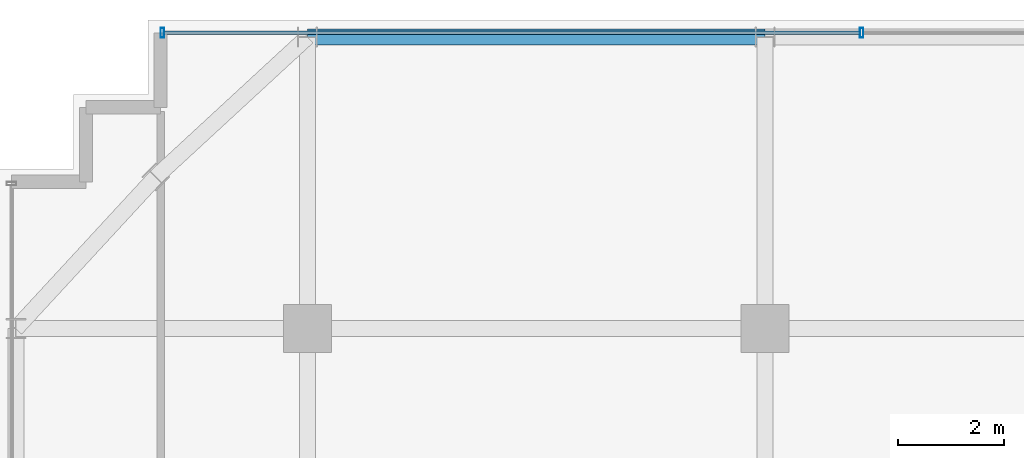
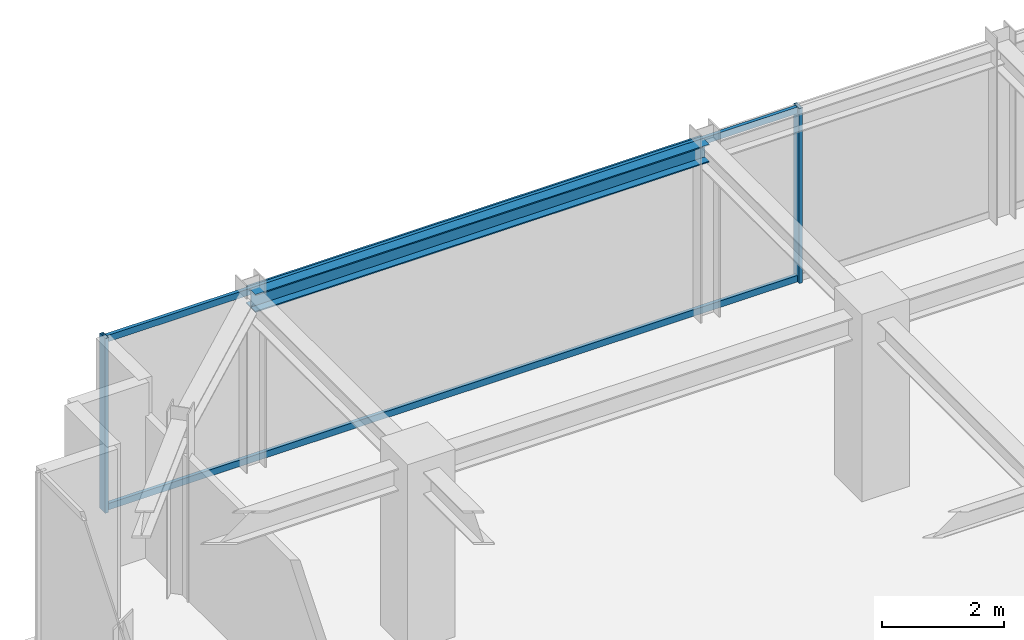
# One storey, part 20 of 31: 4 members, 1 beam, 1 element without a shape of its own.
"""IFC4 building model written with IfcOpenShell, lengths in metres."""

from ifc_helpers import new_model, si_unit, direction, frame, origin, origin_2d, place, context, subcontext, project, spatial, hollow_rectangle, i_section, extrude, source, transform, mapped, material, material_profile, profile_set, type_object, element, aggregate, save


model = new_model("IFC4")

# Units and contexts
model_context = context("Model", 3, precision=1e-05, world=origin(), true_north=direction((0.0, 1.0)))
body_context = subcontext(model_context, "Body", "Model", "MODEL_VIEW")
ifc_project = project(units=[si_unit("LENGTHUNIT", "METRE"), si_unit("AREAUNIT", "SQUARE_METRE"), si_unit("VOLUMEUNIT", "CUBIC_METRE"), si_unit("PLANEANGLEUNIT", "RADIAN"), si_unit("MASSUNIT", "GRAM", prefix="KILO")], contexts=[model_context])

# Site, building, storey
site_placement = place(None, origin())
site = spatial("IfcSite", under=ifc_project, at=site_placement, CompositionType="ELEMENT")
building_placement = place(site_placement, origin())
building = spatial("IfcBuilding", under=site, at=building_placement, Name="Nahalor Promenade Grand Hotel", CompositionType="ELEMENT")
storey_placement = place(building_placement, frame((0.0, 0.0, 323.35009765625)))
storey = spatial("IfcBuildingStorey", under=building, at=storey_placement, Name="L83", CompositionType="ELEMENT", Elevation=323.35009765625)

# Beam
ifc_material_1 = material(Name="Steel S355JR", Category="steel")
ifc_material_profile_1 = material_profile(ifc_material_1, i_section(OverallWidth=0.3, OverallDepth=0.36, WebThickness=0.0125, FlangeThickness=0.0225, at=origin_2d()), Name="HEB 360")
ifc_profile_set_1 = profile_set([ifc_material_profile_1], Name="Steel S355JR")
beam_type = type_object("IfcBeamType", Name="Beam-Spandrel-HEB360", PredefinedType="SPANDREL", material=ifc_profile_set_1)
shared_shape_1 = source(origin(), body_context, "Body", "SweptSolid", [
    extrude(i_section(OverallWidth=0.3, OverallDepth=0.36, WebThickness=0.0125, FlangeThickness=0.0225, at=origin_2d()), origin(), (0.0, 0.0, 1.0), 8.60009765625),
])
beam_placement = place(storey_placement, frame((-17.0, 22.47998046875, 3.31982421875), z_axis=(1.0, 0.0, 0.0), x_axis=(0.0, 1.0, 0.0)))
element("IfcBeam", 1, at=beam_placement, inside=storey, type_object=beam_type, Name="BM-L83-SP-N-0", PredefinedType="SPANDREL", context=body_context, shape_type="MappedRepresentation", body=[
    mapped(shared_shape_1, transform((0.0, 0.0, 0.0), scale=1.0)),
])

# Curtain wall, members
ifc_material_2 = material(Name="Anodised Bronze Aluminium EN AW-6063 T6", Category="aluminium")
curtain_wall_type = type_object("IfcCurtainWallType", Name="CW2 Typical Hotel Flush Bronze Unitised Curtain Wall", PredefinedType="USERDEFINED", material=ifc_material_2)
curtain_wall_placement = place(storey_placement, origin())
curtain_wall = element("IfcCurtainWall", 2, at=curtain_wall_placement, inside=storey, type_object=curtain_wall_type, Name="L83 Curtain Wall CW-L83-N-1", ObjectType="UNITISED_CURTAIN_WALL", PredefinedType="USERDEFINED")
ifc_material_profile_2 = material_profile(ifc_material_2, hollow_rectangle(XDim=0.065, YDim=0.13, WallThickness=0.004, at=origin_2d()), Name="CWT 65x130x4")
ifc_profile_set_2 = profile_set([ifc_material_profile_2], Name="Anodised Bronze Aluminium EN AW-6063 T6")
member_type_1 = type_object("IfcMemberType", Name="CWT2 Typical Bronze Transom 65x130", PredefinedType="USERDEFINED", material=ifc_profile_set_2)
shared_shape_2 = source(origin(), body_context, "Body", "SweptSolid", [
    extrude(hollow_rectangle(XDim=0.065, YDim=0.13, WallThickness=0.004, at=origin_2d()), origin(), (0.0, 0.0, 1.0), 13.075927734375),
])
member_1_placement = place(storey_placement, frame((-19.695068359375, 22.56005859375, 0.06494140625), z_axis=(1.0, 0.0, 0.0), x_axis=(0.0, 1.0, 0.0)))
member_1 = element("IfcMember", 3, at=member_1_placement, type_object=member_type_1, Name="CW-L83-N-1 Transom 0-0", ObjectType="TRANSOM", PredefinedType="USERDEFINED", context=body_context, shape_type="MappedRepresentation", body=[
    mapped(shared_shape_2, transform((0.0, 0.0, 0.0), scale=1.0)),
])
member_2_placement = place(storey_placement, frame((-19.695068359375, 22.56005859375, 3.434814453125), z_axis=(1.0, 0.0, 0.0), x_axis=(0.0, 1.0, 0.0)))
member_2 = element("IfcMember", 4, at=member_2_placement, type_object=member_type_1, Name="CW-L83-N-1 Transom 0-1", ObjectType="TRANSOM", PredefinedType="USERDEFINED", context=body_context, shape_type="MappedRepresentation", body=[
    mapped(shared_shape_2, transform((0.0, 0.0, 0.0), scale=1.0)),
])
ifc_material_profile_3 = material_profile(ifc_material_2, hollow_rectangle(XDim=0.065, YDim=0.18, WallThickness=0.004, at=origin_2d()), Name="CWM 65x180x4")
ifc_profile_set_3 = profile_set([ifc_material_profile_3], Name="Anodised Bronze Aluminium EN AW-6063 T6")
member_type_2 = type_object("IfcMemberType", Name="CWM2 Typical Bronze Mullion 65x180", PredefinedType="MULLION", material=ifc_profile_set_3)
shared_shape_3 = source(origin(), body_context, "Body", "SweptSolid", [
    extrude(hollow_rectangle(XDim=0.065, YDim=0.18, WallThickness=0.004, at=origin_2d()), origin(), (0.0, 0.0, 1.0), 3.5),
])
member_3_placement = place(storey_placement, frame((-19.7275390625, 22.56005859375, 0.0), z_axis=(0.0, 0.0, 1.0), x_axis=(1.0, 0.0, 0.0)))
member_3 = element("IfcMember", 5, at=member_3_placement, type_object=member_type_2, Name="CW-L83-N-1 Mullion 0", PredefinedType="MULLION", context=body_context, shape_type="MappedRepresentation", body=[
    mapped(shared_shape_3, transform((0.0, 0.0, 0.0), scale=1.0)),
])
member_4_placement = place(storey_placement, frame((-6.586669921875, 22.56005859375, 0.0), z_axis=(0.0, 0.0, 1.0), x_axis=(1.0, 0.0, 0.0)))
member_4 = element("IfcMember", 6, at=member_4_placement, type_object=member_type_2, Name="CW-L83-N-1 Mullion 1", PredefinedType="MULLION", context=body_context, shape_type="MappedRepresentation", body=[
    mapped(shared_shape_3, transform((0.0, 0.0, 0.0), scale=1.0)),
])
aggregate(curtain_wall, [member_3, member_4, member_1, member_2])

save(model, "model.ifc")
